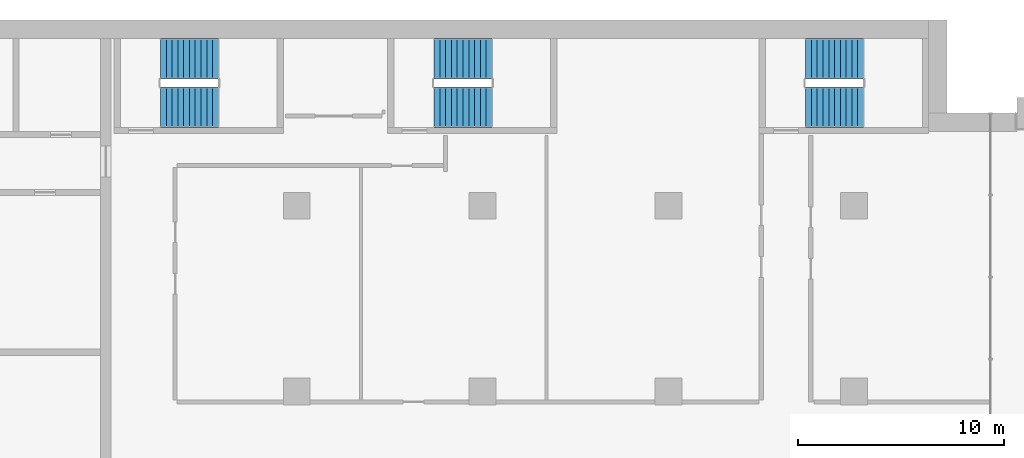
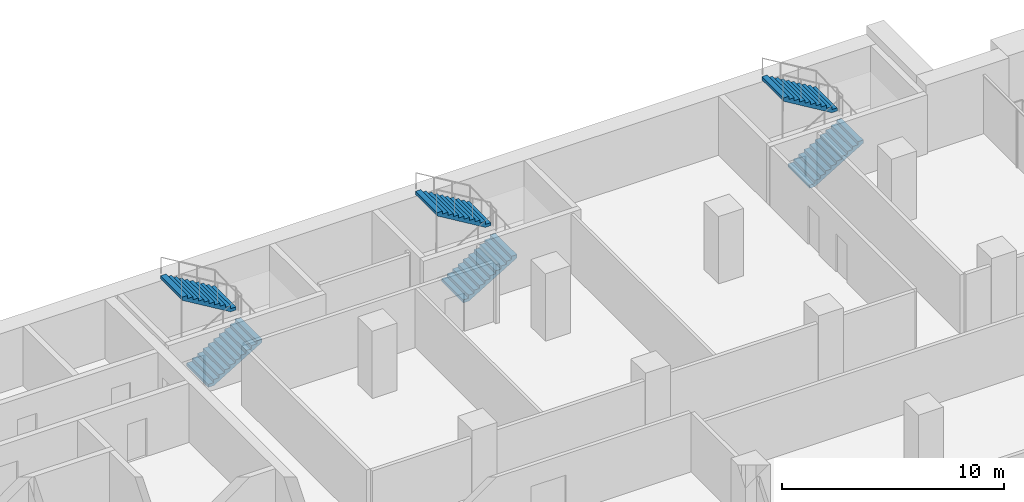
# One storey, part 18 of 23: 6 stair flights, 3 elements without a shape of their own.
"""IFC4 building model written with IfcOpenShell, lengths in metres."""

from ifc_helpers import new_model, si_unit, direction, frame, origin, place, context, subcontext, project, spatial, polyline, outline, extrude, material, type_object, element, aggregate, save


model = new_model("IFC4")

# Units and contexts
model_context = context("Model", 3, precision=1e-05, world=origin(), true_north=direction((0.0, 1.0)))
body_context = subcontext(model_context, "Body", "Model", "MODEL_VIEW")
ifc_project = project(units=[si_unit("LENGTHUNIT", "METRE"), si_unit("AREAUNIT", "SQUARE_METRE"), si_unit("VOLUMEUNIT", "CUBIC_METRE"), si_unit("PLANEANGLEUNIT", "RADIAN"), si_unit("MASSUNIT", "GRAM", prefix="KILO")], contexts=[model_context])

# Site, building, storey
site_placement = place(None, origin())
site = spatial("IfcSite", under=ifc_project, at=site_placement, CompositionType="ELEMENT")
building_placement = place(site_placement, origin())
building = spatial("IfcBuilding", under=site, at=building_placement, Name="Hunhe Ridgeline Campus", CompositionType="ELEMENT")
storey_placement = place(building_placement, frame((0.0, 0.0, 125.5)))
storey = spatial("IfcBuildingStorey", under=building, at=storey_placement, Name="L31", CompositionType="ELEMENT", Elevation=125.5)

# Stair, stair flights
ifc_material = material(Name="Concrete C40", Category="concrete")
stair_type = type_object("IfcStairType", Name="Reinforced concrete dog-leg stair 1950 Concrete C40", PredefinedType="HALF_TURN_STAIR", material=ifc_material)
stair_1_placement = place(storey_placement, origin())
stair_1 = element("IfcStair", 1, at=stair_1_placement, inside=storey, type_object=stair_type, Name="L31 E1", PredefinedType="HALF_TURN_STAIR")
stair_flight_type = type_object("IfcStairFlightType", Name="Reinforced concrete stair flight 1950 Concrete C40", PredefinedType="STRAIGHT", material=ifc_material)
stair_flight_1_placement = place(storey_placement, frame((38.39990234375, 94.77490234375, 0.0), z_axis=(0.0, 0.0, 1.0), x_axis=(1.0, 0.0, 0.0)))
stair_flight_1 = element("IfcStairFlight", 2, at=stair_flight_1_placement, type_object=stair_flight_type, Name="ST5 flight 1", NumberOfRisers=11, NumberOfTreads=10, PredefinedType="STRAIGHT", RiserHeight=0.168181818, TreadLength=0.28, context=body_context, shape_type="SweptSolid", body=[
    extrude(outline(polyline([(0.0, 0.0), (0.0, 0.168212890625), (0.280029296875, 0.168212890625), (0.280029296875, 0.33642578125), (0.56005859375, 0.33642578125), (0.56005859375, 0.504638671875), (0.840087890625, 0.504638671875), (0.840087890625, 0.672607421875), (1.1201171875, 0.672607421875), (1.1201171875, 0.8408203125), (1.39990234375, 0.8408203125), (1.39990234375, 1.009033203125), (1.679931640625, 1.009033203125), (1.679931640625, 1.17724609375), (1.9599609375, 1.17724609375), (1.9599609375, 1.345458984375), (2.239990234375, 1.345458984375), (2.239990234375, 1.513671875), (2.52001953125, 1.513671875), (2.52001953125, 1.681884765625), (2.800048828125, 1.681884765625), (2.800048828125, 1.85009765625), (2.800048828125, 1.5068359375), (0.291015625, 0.0), (0.0, 0.0)])), frame((0.0, 0.97509765625, 0.0), z_axis=(0.0, -1.0, 0.0), x_axis=(1.0, 0.0, 0.0)), (0.0, 0.0, 1.0), 1.949951171875),
    extrude(outline(polyline([(0.030029296875, 0.030029296875), (0.030029296875, 0.13818359375), (0.31005859375, 0.13818359375), (0.31005859375, 0.306396484375), (0.590087890625, 0.306396484375), (0.590087890625, 0.474609375), (0.8701171875, 0.474609375), (0.8701171875, 0.642578125), (1.14990234375, 0.642578125), (1.14990234375, 0.810791015625), (1.429931640625, 0.810791015625), (1.429931640625, 0.97900390625), (1.7099609375, 0.97900390625), (1.7099609375, 1.147216796875), (1.989990234375, 1.147216796875), (1.989990234375, 1.3154296875), (2.27001953125, 1.3154296875), (2.27001953125, 1.483642578125), (2.550048828125, 1.483642578125), (2.550048828125, 1.65185546875), (2.77001953125, 1.65185546875), (2.77001953125, 1.52392578125), (0.28271484375, 0.030029296875), (0.030029296875, 0.030029296875)])), frame((0.0, -0.070068359375, 0.0), z_axis=(0.0, -1.0, 0.0), x_axis=(1.0, 0.0, 0.0)), (0.0, 0.0, 1.0), 0.019775390625),
    extrude(outline(polyline([(0.030029296875, 0.030029296875), (0.030029296875, 0.13818359375), (0.31005859375, 0.13818359375), (0.31005859375, 0.306396484375), (0.590087890625, 0.306396484375), (0.590087890625, 0.474609375), (0.8701171875, 0.474609375), (0.8701171875, 0.642578125), (1.14990234375, 0.642578125), (1.14990234375, 0.810791015625), (1.429931640625, 0.810791015625), (1.429931640625, 0.97900390625), (1.7099609375, 0.97900390625), (1.7099609375, 1.147216796875), (1.989990234375, 1.147216796875), (1.989990234375, 1.3154296875), (2.27001953125, 1.3154296875), (2.27001953125, 1.483642578125), (2.550048828125, 1.483642578125), (2.550048828125, 1.65185546875), (2.77001953125, 1.65185546875), (2.77001953125, 1.52392578125), (0.28271484375, 0.030029296875), (0.030029296875, 0.030029296875)])), frame((0.0, 0.010009765625, 0.0), z_axis=(0.0, -1.0, 0.0), x_axis=(1.0, 0.0, 0.0)), (0.0, 0.0, 1.0), 0.019775390625),
    extrude(outline(polyline([(0.030029296875, 0.030029296875), (0.030029296875, 0.13818359375), (0.31005859375, 0.13818359375), (0.31005859375, 0.306396484375), (0.590087890625, 0.306396484375), (0.590087890625, 0.474609375), (0.8701171875, 0.474609375), (0.8701171875, 0.642578125), (1.14990234375, 0.642578125), (1.14990234375, 0.810791015625), (1.429931640625, 0.810791015625), (1.429931640625, 0.97900390625), (1.7099609375, 0.97900390625), (1.7099609375, 1.147216796875), (1.989990234375, 1.147216796875), (1.989990234375, 1.3154296875), (2.27001953125, 1.3154296875), (2.27001953125, 1.483642578125), (2.550048828125, 1.483642578125), (2.550048828125, 1.65185546875), (2.77001953125, 1.65185546875), (2.77001953125, 1.52392578125), (0.28271484375, 0.030029296875), (0.030029296875, 0.030029296875)])), frame((0.0, 0.090087890625, 0.0), z_axis=(0.0, -1.0, 0.0), x_axis=(1.0, 0.0, 0.0)), (0.0, 0.0, 1.0), 0.019775390625),
])
stair_flight_2_placement = place(storey_placement, frame((41.199951171875, 97.125, 1.85009765625), z_axis=(0.0, 0.0, 1.0), x_axis=(-1.0, 0.0, 0.0)))
stair_flight_2 = element("IfcStairFlight", 3, at=stair_flight_2_placement, type_object=stair_flight_type, Name="ST5 flight 2", NumberOfRisers=11, NumberOfTreads=10, PredefinedType="STRAIGHT", RiserHeight=0.168181818, TreadLength=0.28, context=body_context, shape_type="SweptSolid", body=[
    extrude(outline(polyline([(0.0, 0.0), (0.0, 0.168212890625), (0.280029296875, 0.168212890625), (0.280029296875, 0.33642578125), (0.56005859375, 0.33642578125), (0.56005859375, 0.504638671875), (0.840087890625, 0.504638671875), (0.840087890625, 0.672607421875), (1.1201171875, 0.672607421875), (1.1201171875, 0.8408203125), (1.39990234375, 0.8408203125), (1.39990234375, 1.009033203125), (1.679931640625, 1.009033203125), (1.679931640625, 1.17724609375), (1.9599609375, 1.17724609375), (1.9599609375, 1.345458984375), (2.239990234375, 1.345458984375), (2.239990234375, 1.513671875), (2.52001953125, 1.513671875), (2.52001953125, 1.681884765625), (2.800048828125, 1.681884765625), (2.800048828125, 1.85009765625), (2.800048828125, 1.5068359375), (0.291015625, 0.0), (0.0, 0.0)])), frame((0.0, 0.97509765625, 0.0), z_axis=(0.0, -1.0, 0.0), x_axis=(1.0, 0.0, 0.0)), (0.0, 0.0, 1.0), 1.949951171875),
    extrude(outline(polyline([(0.030029296875, 0.030029296875), (0.030029296875, 0.13818359375), (0.31005859375, 0.13818359375), (0.31005859375, 0.306396484375), (0.590087890625, 0.306396484375), (0.590087890625, 0.474609375), (0.8701171875, 0.474609375), (0.8701171875, 0.642578125), (1.14990234375, 0.642578125), (1.14990234375, 0.810791015625), (1.429931640625, 0.810791015625), (1.429931640625, 0.97900390625), (1.7099609375, 0.97900390625), (1.7099609375, 1.147216796875), (1.989990234375, 1.147216796875), (1.989990234375, 1.3154296875), (2.27001953125, 1.3154296875), (2.27001953125, 1.483642578125), (2.550048828125, 1.483642578125), (2.550048828125, 1.65185546875), (2.77001953125, 1.65185546875), (2.77001953125, 1.52392578125), (0.28271484375, 0.030029296875), (0.030029296875, 0.030029296875)])), frame((0.0, -0.070068359375, 0.0), z_axis=(0.0, -1.0, 0.0), x_axis=(1.0, 0.0, 0.0)), (0.0, 0.0, 1.0), 0.019775390625),
    extrude(outline(polyline([(0.030029296875, 0.030029296875), (0.030029296875, 0.13818359375), (0.31005859375, 0.13818359375), (0.31005859375, 0.306396484375), (0.590087890625, 0.306396484375), (0.590087890625, 0.474609375), (0.8701171875, 0.474609375), (0.8701171875, 0.642578125), (1.14990234375, 0.642578125), (1.14990234375, 0.810791015625), (1.429931640625, 0.810791015625), (1.429931640625, 0.97900390625), (1.7099609375, 0.97900390625), (1.7099609375, 1.147216796875), (1.989990234375, 1.147216796875), (1.989990234375, 1.3154296875), (2.27001953125, 1.3154296875), (2.27001953125, 1.483642578125), (2.550048828125, 1.483642578125), (2.550048828125, 1.65185546875), (2.77001953125, 1.65185546875), (2.77001953125, 1.52392578125), (0.28271484375, 0.030029296875), (0.030029296875, 0.030029296875)])), frame((0.0, 0.010009765625, 0.0), z_axis=(0.0, -1.0, 0.0), x_axis=(1.0, 0.0, 0.0)), (0.0, 0.0, 1.0), 0.019775390625),
    extrude(outline(polyline([(0.030029296875, 0.030029296875), (0.030029296875, 0.13818359375), (0.31005859375, 0.13818359375), (0.31005859375, 0.306396484375), (0.590087890625, 0.306396484375), (0.590087890625, 0.474609375), (0.8701171875, 0.474609375), (0.8701171875, 0.642578125), (1.14990234375, 0.642578125), (1.14990234375, 0.810791015625), (1.429931640625, 0.810791015625), (1.429931640625, 0.97900390625), (1.7099609375, 0.97900390625), (1.7099609375, 1.147216796875), (1.989990234375, 1.147216796875), (1.989990234375, 1.3154296875), (2.27001953125, 1.3154296875), (2.27001953125, 1.483642578125), (2.550048828125, 1.483642578125), (2.550048828125, 1.65185546875), (2.77001953125, 1.65185546875), (2.77001953125, 1.52392578125), (0.28271484375, 0.030029296875), (0.030029296875, 0.030029296875)])), frame((0.0, 0.090087890625, 0.0), z_axis=(0.0, -1.0, 0.0), x_axis=(1.0, 0.0, 0.0)), (0.0, 0.0, 1.0), 0.019775390625),
])
aggregate(stair_1, [stair_flight_1, stair_flight_2])

stair_2_placement = place(storey_placement, origin())
stair_2 = element("IfcStair", 4, at=stair_2_placement, inside=storey, type_object=stair_type, Name="L31 E2", PredefinedType="HALF_TURN_STAIR")
stair_flight_3_placement = place(storey_placement, frame((51.64990234375, 94.77490234375, 0.0), z_axis=(0.0, 0.0, 1.0), x_axis=(1.0, 0.0, 0.0)))
stair_flight_3 = element("IfcStairFlight", 5, at=stair_flight_3_placement, type_object=stair_flight_type, Name="ST6 flight 1", NumberOfRisers=11, NumberOfTreads=10, PredefinedType="STRAIGHT", RiserHeight=0.168181818, TreadLength=0.28, context=body_context, shape_type="SweptSolid", body=[
    extrude(outline(polyline([(0.0, 0.0), (0.0, 0.168212890625), (0.280029296875, 0.168212890625), (0.280029296875, 0.33642578125), (0.56005859375, 0.33642578125), (0.56005859375, 0.504638671875), (0.840087890625, 0.504638671875), (0.840087890625, 0.672607421875), (1.1201171875, 0.672607421875), (1.1201171875, 0.8408203125), (1.39990234375, 0.8408203125), (1.39990234375, 1.009033203125), (1.679931640625, 1.009033203125), (1.679931640625, 1.17724609375), (1.9599609375, 1.17724609375), (1.9599609375, 1.345458984375), (2.239990234375, 1.345458984375), (2.239990234375, 1.513671875), (2.52001953125, 1.513671875), (2.52001953125, 1.681884765625), (2.800048828125, 1.681884765625), (2.800048828125, 1.85009765625), (2.800048828125, 1.5068359375), (0.291015625, 0.0), (0.0, 0.0)])), frame((0.0, 0.97509765625, 0.0), z_axis=(0.0, -1.0, 0.0), x_axis=(1.0, 0.0, 0.0)), (0.0, 0.0, 1.0), 1.949951171875),
    extrude(outline(polyline([(0.030029296875, 0.030029296875), (0.030029296875, 0.13818359375), (0.31005859375, 0.13818359375), (0.31005859375, 0.306396484375), (0.590087890625, 0.306396484375), (0.590087890625, 0.474609375), (0.8701171875, 0.474609375), (0.8701171875, 0.642578125), (1.14990234375, 0.642578125), (1.14990234375, 0.810791015625), (1.429931640625, 0.810791015625), (1.429931640625, 0.97900390625), (1.7099609375, 0.97900390625), (1.7099609375, 1.147216796875), (1.989990234375, 1.147216796875), (1.989990234375, 1.3154296875), (2.27001953125, 1.3154296875), (2.27001953125, 1.483642578125), (2.550048828125, 1.483642578125), (2.550048828125, 1.65185546875), (2.77001953125, 1.65185546875), (2.77001953125, 1.52392578125), (0.28271484375, 0.030029296875), (0.030029296875, 0.030029296875)])), frame((0.0, -0.070068359375, 0.0), z_axis=(0.0, -1.0, 0.0), x_axis=(1.0, 0.0, 0.0)), (0.0, 0.0, 1.0), 0.019775390625),
    extrude(outline(polyline([(0.030029296875, 0.030029296875), (0.030029296875, 0.13818359375), (0.31005859375, 0.13818359375), (0.31005859375, 0.306396484375), (0.590087890625, 0.306396484375), (0.590087890625, 0.474609375), (0.8701171875, 0.474609375), (0.8701171875, 0.642578125), (1.14990234375, 0.642578125), (1.14990234375, 0.810791015625), (1.429931640625, 0.810791015625), (1.429931640625, 0.97900390625), (1.7099609375, 0.97900390625), (1.7099609375, 1.147216796875), (1.989990234375, 1.147216796875), (1.989990234375, 1.3154296875), (2.27001953125, 1.3154296875), (2.27001953125, 1.483642578125), (2.550048828125, 1.483642578125), (2.550048828125, 1.65185546875), (2.77001953125, 1.65185546875), (2.77001953125, 1.52392578125), (0.28271484375, 0.030029296875), (0.030029296875, 0.030029296875)])), frame((0.0, 0.010009765625, 0.0), z_axis=(0.0, -1.0, 0.0), x_axis=(1.0, 0.0, 0.0)), (0.0, 0.0, 1.0), 0.019775390625),
    extrude(outline(polyline([(0.030029296875, 0.030029296875), (0.030029296875, 0.13818359375), (0.31005859375, 0.13818359375), (0.31005859375, 0.306396484375), (0.590087890625, 0.306396484375), (0.590087890625, 0.474609375), (0.8701171875, 0.474609375), (0.8701171875, 0.642578125), (1.14990234375, 0.642578125), (1.14990234375, 0.810791015625), (1.429931640625, 0.810791015625), (1.429931640625, 0.97900390625), (1.7099609375, 0.97900390625), (1.7099609375, 1.147216796875), (1.989990234375, 1.147216796875), (1.989990234375, 1.3154296875), (2.27001953125, 1.3154296875), (2.27001953125, 1.483642578125), (2.550048828125, 1.483642578125), (2.550048828125, 1.65185546875), (2.77001953125, 1.65185546875), (2.77001953125, 1.52392578125), (0.28271484375, 0.030029296875), (0.030029296875, 0.030029296875)])), frame((0.0, 0.090087890625, 0.0), z_axis=(0.0, -1.0, 0.0), x_axis=(1.0, 0.0, 0.0)), (0.0, 0.0, 1.0), 0.019775390625),
])
stair_flight_4_placement = place(storey_placement, frame((54.449951171875, 97.125, 1.85009765625), z_axis=(0.0, 0.0, 1.0), x_axis=(-1.0, 0.0, 0.0)))
stair_flight_4 = element("IfcStairFlight", 6, at=stair_flight_4_placement, type_object=stair_flight_type, Name="ST6 flight 2", NumberOfRisers=11, NumberOfTreads=10, PredefinedType="STRAIGHT", RiserHeight=0.168181818, TreadLength=0.28, context=body_context, shape_type="SweptSolid", body=[
    extrude(outline(polyline([(0.0, 0.0), (0.0, 0.168212890625), (0.280029296875, 0.168212890625), (0.280029296875, 0.33642578125), (0.56005859375, 0.33642578125), (0.56005859375, 0.504638671875), (0.840087890625, 0.504638671875), (0.840087890625, 0.672607421875), (1.1201171875, 0.672607421875), (1.1201171875, 0.8408203125), (1.39990234375, 0.8408203125), (1.39990234375, 1.009033203125), (1.679931640625, 1.009033203125), (1.679931640625, 1.17724609375), (1.9599609375, 1.17724609375), (1.9599609375, 1.345458984375), (2.239990234375, 1.345458984375), (2.239990234375, 1.513671875), (2.52001953125, 1.513671875), (2.52001953125, 1.681884765625), (2.800048828125, 1.681884765625), (2.800048828125, 1.85009765625), (2.800048828125, 1.5068359375), (0.291015625, 0.0), (0.0, 0.0)])), frame((0.0, 0.97509765625, 0.0), z_axis=(0.0, -1.0, 0.0), x_axis=(1.0, 0.0, 0.0)), (0.0, 0.0, 1.0), 1.949951171875),
    extrude(outline(polyline([(0.030029296875, 0.030029296875), (0.030029296875, 0.13818359375), (0.31005859375, 0.13818359375), (0.31005859375, 0.306396484375), (0.590087890625, 0.306396484375), (0.590087890625, 0.474609375), (0.8701171875, 0.474609375), (0.8701171875, 0.642578125), (1.14990234375, 0.642578125), (1.14990234375, 0.810791015625), (1.429931640625, 0.810791015625), (1.429931640625, 0.97900390625), (1.7099609375, 0.97900390625), (1.7099609375, 1.147216796875), (1.989990234375, 1.147216796875), (1.989990234375, 1.3154296875), (2.27001953125, 1.3154296875), (2.27001953125, 1.483642578125), (2.550048828125, 1.483642578125), (2.550048828125, 1.65185546875), (2.77001953125, 1.65185546875), (2.77001953125, 1.52392578125), (0.28271484375, 0.030029296875), (0.030029296875, 0.030029296875)])), frame((0.0, -0.070068359375, 0.0), z_axis=(0.0, -1.0, 0.0), x_axis=(1.0, 0.0, 0.0)), (0.0, 0.0, 1.0), 0.019775390625),
    extrude(outline(polyline([(0.030029296875, 0.030029296875), (0.030029296875, 0.13818359375), (0.31005859375, 0.13818359375), (0.31005859375, 0.306396484375), (0.590087890625, 0.306396484375), (0.590087890625, 0.474609375), (0.8701171875, 0.474609375), (0.8701171875, 0.642578125), (1.14990234375, 0.642578125), (1.14990234375, 0.810791015625), (1.429931640625, 0.810791015625), (1.429931640625, 0.97900390625), (1.7099609375, 0.97900390625), (1.7099609375, 1.147216796875), (1.989990234375, 1.147216796875), (1.989990234375, 1.3154296875), (2.27001953125, 1.3154296875), (2.27001953125, 1.483642578125), (2.550048828125, 1.483642578125), (2.550048828125, 1.65185546875), (2.77001953125, 1.65185546875), (2.77001953125, 1.52392578125), (0.28271484375, 0.030029296875), (0.030029296875, 0.030029296875)])), frame((0.0, 0.010009765625, 0.0), z_axis=(0.0, -1.0, 0.0), x_axis=(1.0, 0.0, 0.0)), (0.0, 0.0, 1.0), 0.019775390625),
    extrude(outline(polyline([(0.030029296875, 0.030029296875), (0.030029296875, 0.13818359375), (0.31005859375, 0.13818359375), (0.31005859375, 0.306396484375), (0.590087890625, 0.306396484375), (0.590087890625, 0.474609375), (0.8701171875, 0.474609375), (0.8701171875, 0.642578125), (1.14990234375, 0.642578125), (1.14990234375, 0.810791015625), (1.429931640625, 0.810791015625), (1.429931640625, 0.97900390625), (1.7099609375, 0.97900390625), (1.7099609375, 1.147216796875), (1.989990234375, 1.147216796875), (1.989990234375, 1.3154296875), (2.27001953125, 1.3154296875), (2.27001953125, 1.483642578125), (2.550048828125, 1.483642578125), (2.550048828125, 1.65185546875), (2.77001953125, 1.65185546875), (2.77001953125, 1.52392578125), (0.28271484375, 0.030029296875), (0.030029296875, 0.030029296875)])), frame((0.0, 0.090087890625, 0.0), z_axis=(0.0, -1.0, 0.0), x_axis=(1.0, 0.0, 0.0)), (0.0, 0.0, 1.0), 0.019775390625),
])
aggregate(stair_2, [stair_flight_3, stair_flight_4])

stair_3_placement = place(storey_placement, origin())
stair_3 = element("IfcStair", 7, at=stair_3_placement, inside=storey, type_object=stair_type, Name="L31 E3", PredefinedType="HALF_TURN_STAIR")
stair_flight_5_placement = place(storey_placement, frame((69.64990234375, 94.77490234375, 0.0), z_axis=(0.0, 0.0, 1.0), x_axis=(1.0, 0.0, 0.0)))
stair_flight_5 = element("IfcStairFlight", 8, at=stair_flight_5_placement, type_object=stair_flight_type, Name="ST7 flight 1", NumberOfRisers=11, NumberOfTreads=10, PredefinedType="STRAIGHT", RiserHeight=0.168181818, TreadLength=0.28, context=body_context, shape_type="SweptSolid", body=[
    extrude(outline(polyline([(0.0, 0.0), (0.0, 0.168212890625), (0.280029296875, 0.168212890625), (0.280029296875, 0.33642578125), (0.56005859375, 0.33642578125), (0.56005859375, 0.504638671875), (0.840087890625, 0.504638671875), (0.840087890625, 0.672607421875), (1.1201171875, 0.672607421875), (1.1201171875, 0.8408203125), (1.39990234375, 0.8408203125), (1.39990234375, 1.009033203125), (1.679931640625, 1.009033203125), (1.679931640625, 1.17724609375), (1.9599609375, 1.17724609375), (1.9599609375, 1.345458984375), (2.239990234375, 1.345458984375), (2.239990234375, 1.513671875), (2.52001953125, 1.513671875), (2.52001953125, 1.681884765625), (2.800048828125, 1.681884765625), (2.800048828125, 1.85009765625), (2.800048828125, 1.5068359375), (0.291015625, 0.0), (0.0, 0.0)])), frame((0.0, 0.97509765625, 0.0), z_axis=(0.0, -1.0, 0.0), x_axis=(1.0, 0.0, 0.0)), (0.0, 0.0, 1.0), 1.949951171875),
    extrude(outline(polyline([(0.030029296875, 0.030029296875), (0.030029296875, 0.13818359375), (0.31005859375, 0.13818359375), (0.31005859375, 0.306396484375), (0.590087890625, 0.306396484375), (0.590087890625, 0.474609375), (0.8701171875, 0.474609375), (0.8701171875, 0.642578125), (1.14990234375, 0.642578125), (1.14990234375, 0.810791015625), (1.429931640625, 0.810791015625), (1.429931640625, 0.97900390625), (1.7099609375, 0.97900390625), (1.7099609375, 1.147216796875), (1.989990234375, 1.147216796875), (1.989990234375, 1.3154296875), (2.27001953125, 1.3154296875), (2.27001953125, 1.483642578125), (2.550048828125, 1.483642578125), (2.550048828125, 1.65185546875), (2.77001953125, 1.65185546875), (2.77001953125, 1.52392578125), (0.28271484375, 0.030029296875), (0.030029296875, 0.030029296875)])), frame((0.0, -0.070068359375, 0.0), z_axis=(0.0, -1.0, 0.0), x_axis=(1.0, 0.0, 0.0)), (0.0, 0.0, 1.0), 0.019775390625),
    extrude(outline(polyline([(0.030029296875, 0.030029296875), (0.030029296875, 0.13818359375), (0.31005859375, 0.13818359375), (0.31005859375, 0.306396484375), (0.590087890625, 0.306396484375), (0.590087890625, 0.474609375), (0.8701171875, 0.474609375), (0.8701171875, 0.642578125), (1.14990234375, 0.642578125), (1.14990234375, 0.810791015625), (1.429931640625, 0.810791015625), (1.429931640625, 0.97900390625), (1.7099609375, 0.97900390625), (1.7099609375, 1.147216796875), (1.989990234375, 1.147216796875), (1.989990234375, 1.3154296875), (2.27001953125, 1.3154296875), (2.27001953125, 1.483642578125), (2.550048828125, 1.483642578125), (2.550048828125, 1.65185546875), (2.77001953125, 1.65185546875), (2.77001953125, 1.52392578125), (0.28271484375, 0.030029296875), (0.030029296875, 0.030029296875)])), frame((0.0, 0.010009765625, 0.0), z_axis=(0.0, -1.0, 0.0), x_axis=(1.0, 0.0, 0.0)), (0.0, 0.0, 1.0), 0.019775390625),
    extrude(outline(polyline([(0.030029296875, 0.030029296875), (0.030029296875, 0.13818359375), (0.31005859375, 0.13818359375), (0.31005859375, 0.306396484375), (0.590087890625, 0.306396484375), (0.590087890625, 0.474609375), (0.8701171875, 0.474609375), (0.8701171875, 0.642578125), (1.14990234375, 0.642578125), (1.14990234375, 0.810791015625), (1.429931640625, 0.810791015625), (1.429931640625, 0.97900390625), (1.7099609375, 0.97900390625), (1.7099609375, 1.147216796875), (1.989990234375, 1.147216796875), (1.989990234375, 1.3154296875), (2.27001953125, 1.3154296875), (2.27001953125, 1.483642578125), (2.550048828125, 1.483642578125), (2.550048828125, 1.65185546875), (2.77001953125, 1.65185546875), (2.77001953125, 1.52392578125), (0.28271484375, 0.030029296875), (0.030029296875, 0.030029296875)])), frame((0.0, 0.090087890625, 0.0), z_axis=(0.0, -1.0, 0.0), x_axis=(1.0, 0.0, 0.0)), (0.0, 0.0, 1.0), 0.019775390625),
])
stair_flight_6_placement = place(storey_placement, frame((72.449951171875, 97.125, 1.85009765625), z_axis=(0.0, 0.0, 1.0), x_axis=(-1.0, 0.0, 0.0)))
stair_flight_6 = element("IfcStairFlight", 9, at=stair_flight_6_placement, type_object=stair_flight_type, Name="ST7 flight 2", NumberOfRisers=11, NumberOfTreads=10, PredefinedType="STRAIGHT", RiserHeight=0.168181818, TreadLength=0.28, context=body_context, shape_type="SweptSolid", body=[
    extrude(outline(polyline([(0.0, 0.0), (0.0, 0.168212890625), (0.280029296875, 0.168212890625), (0.280029296875, 0.33642578125), (0.56005859375, 0.33642578125), (0.56005859375, 0.504638671875), (0.840087890625, 0.504638671875), (0.840087890625, 0.672607421875), (1.1201171875, 0.672607421875), (1.1201171875, 0.8408203125), (1.39990234375, 0.8408203125), (1.39990234375, 1.009033203125), (1.679931640625, 1.009033203125), (1.679931640625, 1.17724609375), (1.9599609375, 1.17724609375), (1.9599609375, 1.345458984375), (2.239990234375, 1.345458984375), (2.239990234375, 1.513671875), (2.52001953125, 1.513671875), (2.52001953125, 1.681884765625), (2.800048828125, 1.681884765625), (2.800048828125, 1.85009765625), (2.800048828125, 1.5068359375), (0.291015625, 0.0), (0.0, 0.0)])), frame((0.0, 0.97509765625, 0.0), z_axis=(0.0, -1.0, 0.0), x_axis=(1.0, 0.0, 0.0)), (0.0, 0.0, 1.0), 1.949951171875),
    extrude(outline(polyline([(0.030029296875, 0.030029296875), (0.030029296875, 0.13818359375), (0.31005859375, 0.13818359375), (0.31005859375, 0.306396484375), (0.590087890625, 0.306396484375), (0.590087890625, 0.474609375), (0.8701171875, 0.474609375), (0.8701171875, 0.642578125), (1.14990234375, 0.642578125), (1.14990234375, 0.810791015625), (1.429931640625, 0.810791015625), (1.429931640625, 0.97900390625), (1.7099609375, 0.97900390625), (1.7099609375, 1.147216796875), (1.989990234375, 1.147216796875), (1.989990234375, 1.3154296875), (2.27001953125, 1.3154296875), (2.27001953125, 1.483642578125), (2.550048828125, 1.483642578125), (2.550048828125, 1.65185546875), (2.77001953125, 1.65185546875), (2.77001953125, 1.52392578125), (0.28271484375, 0.030029296875), (0.030029296875, 0.030029296875)])), frame((0.0, -0.070068359375, 0.0), z_axis=(0.0, -1.0, 0.0), x_axis=(1.0, 0.0, 0.0)), (0.0, 0.0, 1.0), 0.019775390625),
    extrude(outline(polyline([(0.030029296875, 0.030029296875), (0.030029296875, 0.13818359375), (0.31005859375, 0.13818359375), (0.31005859375, 0.306396484375), (0.590087890625, 0.306396484375), (0.590087890625, 0.474609375), (0.8701171875, 0.474609375), (0.8701171875, 0.642578125), (1.14990234375, 0.642578125), (1.14990234375, 0.810791015625), (1.429931640625, 0.810791015625), (1.429931640625, 0.97900390625), (1.7099609375, 0.97900390625), (1.7099609375, 1.147216796875), (1.989990234375, 1.147216796875), (1.989990234375, 1.3154296875), (2.27001953125, 1.3154296875), (2.27001953125, 1.483642578125), (2.550048828125, 1.483642578125), (2.550048828125, 1.65185546875), (2.77001953125, 1.65185546875), (2.77001953125, 1.52392578125), (0.28271484375, 0.030029296875), (0.030029296875, 0.030029296875)])), frame((0.0, 0.010009765625, 0.0), z_axis=(0.0, -1.0, 0.0), x_axis=(1.0, 0.0, 0.0)), (0.0, 0.0, 1.0), 0.019775390625),
    extrude(outline(polyline([(0.030029296875, 0.030029296875), (0.030029296875, 0.13818359375), (0.31005859375, 0.13818359375), (0.31005859375, 0.306396484375), (0.590087890625, 0.306396484375), (0.590087890625, 0.474609375), (0.8701171875, 0.474609375), (0.8701171875, 0.642578125), (1.14990234375, 0.642578125), (1.14990234375, 0.810791015625), (1.429931640625, 0.810791015625), (1.429931640625, 0.97900390625), (1.7099609375, 0.97900390625), (1.7099609375, 1.147216796875), (1.989990234375, 1.147216796875), (1.989990234375, 1.3154296875), (2.27001953125, 1.3154296875), (2.27001953125, 1.483642578125), (2.550048828125, 1.483642578125), (2.550048828125, 1.65185546875), (2.77001953125, 1.65185546875), (2.77001953125, 1.52392578125), (0.28271484375, 0.030029296875), (0.030029296875, 0.030029296875)])), frame((0.0, 0.090087890625, 0.0), z_axis=(0.0, -1.0, 0.0), x_axis=(1.0, 0.0, 0.0)), (0.0, 0.0, 1.0), 0.019775390625),
])
aggregate(stair_3, [stair_flight_5, stair_flight_6])

save(model, "model.ifc")
